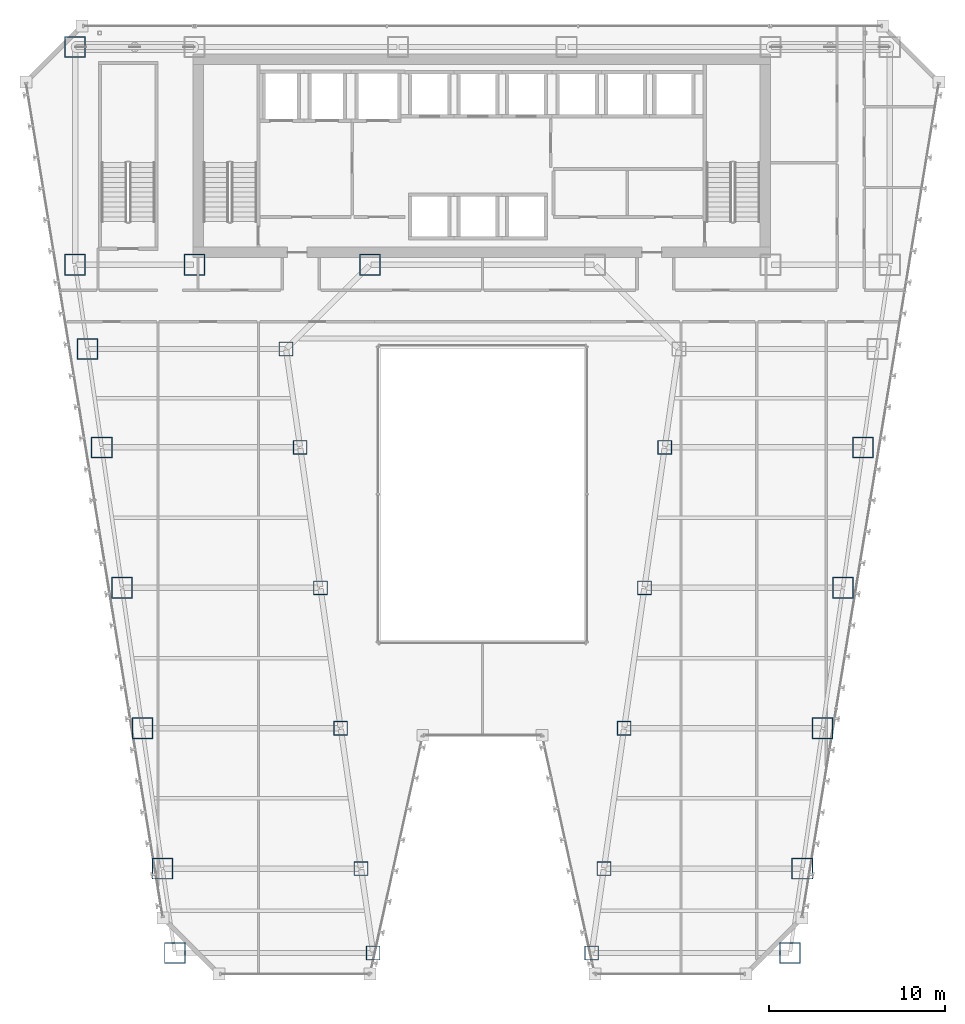
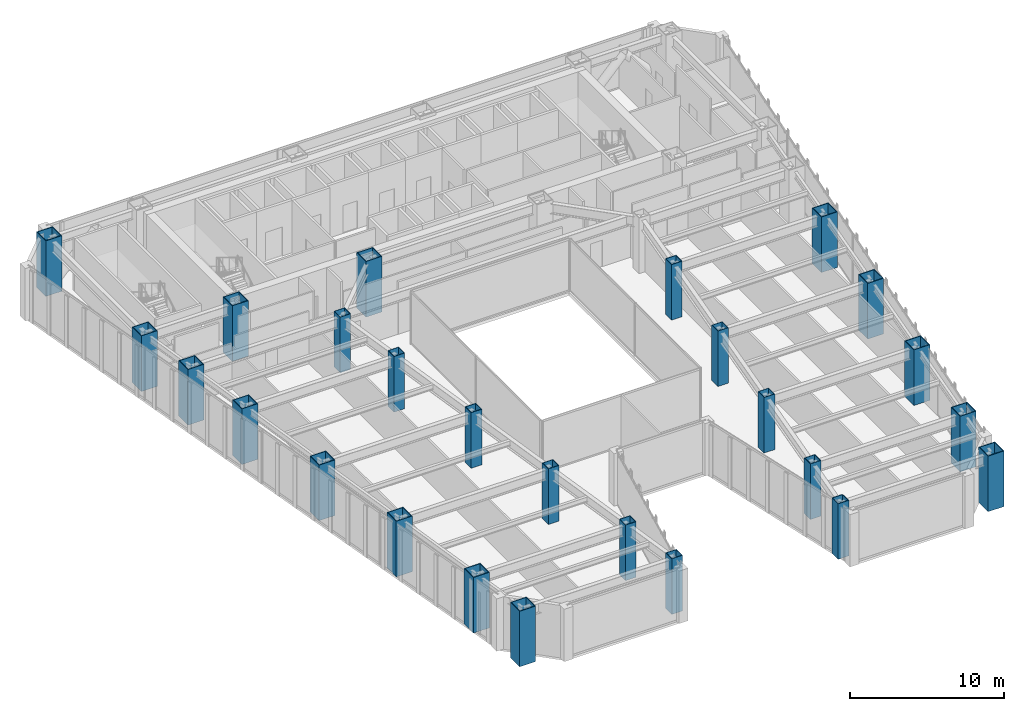
# One storey, part 1 of 47: 26 columns.
"""IFC4 building model written with IfcOpenShell, lengths in metres."""

import ifcopenshell
import ifcopenshell.guid

model = None  # the IFC model being written
_history = None  # IfcOwnerHistory: only IFC2X3 demands one
_inside = {}  # id of a spatial element -> (the spatial element, [elements in it])
_under = {}  # id of a project, library or spatial element -> (it, [spatial elements below it])
_declared = {}  # id of a project -> (the project, [libraries it declares])
_typed = {}  # id of a type object -> (the type object, [elements of that type])
_made_of = {}  # id of a material, layer set ... -> (it, [elements and type objects made of it])


def new_model(schema):
    """Start an empty IFC model of exactly this schema.

    Asked for "IFC4X3", IfcOpenShell would pick the latest addendum, in which some entities
    have other attributes; the version numbers below select the first issue.
    IFC2X3 requires an IfcOwnerHistory on every rooted entity: one is made here for all.
    """
    global model, _history
    if schema == "IFC4X3":
        model = ifcopenshell.file(schema_version=(4, 3, 0, 0))
    else:
        model = ifcopenshell.file(schema=schema)
    _inside.clear()
    _under.clear()
    _declared.clear()
    _typed.clear()
    _made_of.clear()
    _history = None
    if model.schema == "IFC2X3":
        org = make("IfcOrganization", Name="unknown")
        user = make(
            "IfcPersonAndOrganization",
            ThePerson=make("IfcPerson", FamilyName="unknown"),
            TheOrganization=org,
        )
        app = make(
            "IfcApplication",
            ApplicationDeveloper=org,
            Version="unknown",
            ApplicationFullName="unknown",
            ApplicationIdentifier="unknown",
        )
        _history = make(
            "IfcOwnerHistory",
            OwningUser=user,
            OwningApplication=app,
            ChangeAction="ADDED",
            CreationDate=0,
        )
    return model


def make(cls, **values):
    """One entity of the class cls with the attributes given. An attribute that is None is left unset."""
    return model.create_entity(
        cls, **{name: value for name, value in values.items() if value is not None}
    )


def rooted(cls, **values):
    """An entity with a GlobalId (a new one), such as an element, a storey or a relation."""
    return make(cls, GlobalId=ifcopenshell.guid.new(), OwnerHistory=_history, **values)


def si_unit(unit_type, name, prefix=None):
    """IfcSIUnit, for example si_unit("LENGTHUNIT", "METRE", prefix="MILLI")."""
    return make("IfcSIUnit", UnitType=unit_type, Prefix=prefix, Name=name)


def assignment(units):
    """IfcUnitAssignment: the units of a project."""
    return None if units is None else make("IfcUnitAssignment", Units=units)


def point(xyz):
    """IfcCartesianPoint."""
    return None if xyz is None else make("IfcCartesianPoint", Coordinates=xyz)


def direction(xyz):
    """IfcDirection."""
    return None if xyz is None else make("IfcDirection", DirectionRatios=xyz)


def frame(location, z_axis=None, x_axis=None):
    """IfcAxis2Placement3D, a coordinate frame: its origin and axes. An axis left out is left unset."""
    return make(
        "IfcAxis2Placement3D",
        Location=point(location),
        Axis=direction(z_axis),
        RefDirection=direction(x_axis),
    )


def frame_2d(location, x_axis=None):
    """IfcAxis2Placement2D, a coordinate frame in the plane: its origin and x axis."""
    return make(
        "IfcAxis2Placement2D", Location=point(location), RefDirection=direction(x_axis)
    )


def origin():
    """The frame at (0, 0, 0) with its axes left unset."""
    return frame((0.0, 0.0, 0.0))


def origin_2d():
    """The frame at (0, 0) in the plane with its x axis left unset."""
    return frame_2d((0.0, 0.0))


def place(relative_to, where):
    """IfcLocalPlacement: puts the frame where relative to a parent placement (None: the world)."""
    return make(
        "IfcLocalPlacement", PlacementRelTo=relative_to, RelativePlacement=where
    )


def context(
    kind, dimensions, precision=None, world=None, true_north=None, identifier=None
):
    """IfcGeometricRepresentationContext, for example the 3D "Model" context."""
    return make(
        "IfcGeometricRepresentationContext",
        ContextIdentifier=identifier,
        ContextType=kind,
        CoordinateSpaceDimension=dimensions,
        Precision=precision,
        WorldCoordinateSystem=world,
        TrueNorth=true_north,
    )


def subcontext(parent, identifier, kind, view, scale=None):
    """IfcGeometricRepresentationSubContext, for example "Body" below "Model"."""
    return make(
        "IfcGeometricRepresentationSubContext",
        ContextIdentifier=identifier,
        ContextType=kind,
        ParentContext=parent,
        TargetScale=scale,
        TargetView=view,
    )


def project(units=None, contexts=None):
    """IfcProject with its units and contexts."""
    return rooted(
        "IfcProject",
        Name="project",
        RepresentationContexts=contexts,
        UnitsInContext=assignment(units),
    )


def spatial(cls, under=None, at=None, **own):
    """A site, building, storey or space (cls), placed at a placement, below another one or the project."""
    s = rooted(cls, ObjectPlacement=at, **own)
    if under is not None:
        _under.setdefault(under.id(), (under, []))[1].append(s)
    return s


def profile(cls, at=None, kind="AREA", **sizes):
    """A parametric profile (cls). Its sizes go by their IFC names, for example OverallWidth=200.0."""
    return make(cls, ProfileType=kind, Position=at, **sizes)


def hollow_rectangle(**sizes):
    """IfcRectangleHollowProfileDef."""
    return profile("IfcRectangleHollowProfileDef", **sizes)


def extrude(swept, where, along, depth):
    """IfcExtrudedAreaSolid: the profile swept, set in the frame where, extruded along a direction by depth."""
    return make(
        "IfcExtrudedAreaSolid",
        SweptArea=swept,
        Position=where,
        ExtrudedDirection=direction(along),
        Depth=depth,
    )


def shape(context_of_items, identifier, shape_type, items):
    """IfcShapeRepresentation: the items that make up one representation, for example the "Body"."""
    return make(
        "IfcShapeRepresentation",
        ContextOfItems=context_of_items,
        RepresentationIdentifier=identifier,
        RepresentationType=shape_type,
        Items=items,
    )


def material(Name=None, Category=None):
    """IfcMaterial."""
    return make("IfcMaterial", Name=Name, Category=Category)


def material_profile(
    of_material, cross_section, Name=None, Category=None, Priority=None
):
    """IfcMaterialProfile: a cross section and its material."""
    return make(
        "IfcMaterialProfile",
        Name=Name,
        Material=of_material,
        Profile=cross_section,
        Priority=Priority,
        Category=Category,
    )


def profile_set(profiles, Name=None, composite=None):
    """IfcMaterialProfileSet."""
    return make(
        "IfcMaterialProfileSet",
        Name=Name,
        MaterialProfiles=profiles,
        CompositeProfile=composite,
    )


def made_of(thing, what):
    """Note that an element or type object is made of a material, layer set ...; save() writes the relation."""
    if what is not None:
        _made_of.setdefault(what.id(), (what, []))[1].append(thing)
    return thing


def type_object(cls, material=None, **own):
    """A type object (cls), such as IfcWallType, which elements share."""
    return made_of(rooted(cls, **own), material)


def element(
    cls,
    number,
    at=None,
    inside=None,
    cuts=None,
    type_object=None,
    material=None,
    context=None,
    identifier="Body",
    shape_type=None,
    held_by="IfcProductDefinitionShape",
    body=None,
    shapes=None,
    **own,
):
    """One element of the class cls, such as IfcWall. Its Tag is "e" and its number.

    at: its placement. inside: the storey or other place that contains it. cuts: it is an
    opening in that element (IfcRelVoidsElement). A single representation is given by context,
    identifier, shape_type and body (its items); several are given by shapes. held_by: the class
    of the entity that holds the representations. save() writes the other relations.
    """
    e = rooted(cls, Tag="e%d" % number, ObjectPlacement=at, **own)
    if body is not None:
        shapes = [shape(context, identifier, shape_type, body)]
    if shapes is not None:
        e.Representation = make(held_by, Representations=shapes)
    if inside is not None:
        _inside.setdefault(inside.id(), (inside, []))[1].append(e)
    if cuts is not None:
        rooted(
            "IfcRelVoidsElement", RelatingBuildingElement=cuts, RelatedOpeningElement=e
        )
    if type_object is not None:
        _typed.setdefault(type_object.id(), (type_object, []))[1].append(e)
    return made_of(e, material)


def aggregate(whole, parts):
    """IfcRelAggregates: a whole, such as a stair, and the parts it consists of."""
    return rooted("IfcRelAggregates", RelatingObject=whole, RelatedObjects=parts)


def save(model, path):
    """Write the relations noted so far, then the file.

    IfcRelAggregates (storeys below a building ...), IfcRelContainedInSpatialStructure (elements
    in a storey), IfcRelDefinesByType, IfcRelAssociatesMaterial and IfcRelDeclares: one each for
    every whole, place, type object, material and project.
    """
    for whole, parts in _under.values():
        aggregate(whole, parts)
    for where, things in _inside.values():
        rooted(
            "IfcRelContainedInSpatialStructure",
            RelatedElements=things,
            RelatingStructure=where,
        )
    for kind, things in _typed.values():
        rooted("IfcRelDefinesByType", RelatedObjects=things, RelatingType=kind)
    for what, things in _made_of.values():
        rooted("IfcRelAssociatesMaterial", RelatedObjects=things, RelatingMaterial=what)
    for by, libraries in _declared.values():
        rooted("IfcRelDeclares", RelatingContext=by, RelatedDefinitions=libraries)
    model.write(path)


model = new_model("IFC4")

# Units and contexts
model_context = context("Model", 3, precision=1e-05, world=origin(), true_north=direction((0.0, 1.0)))
body_context = subcontext(model_context, "Body", "Model", "MODEL_VIEW")
ifc_project = project(units=[si_unit("LENGTHUNIT", "METRE"), si_unit("AREAUNIT", "SQUARE_METRE"), si_unit("VOLUMEUNIT", "CUBIC_METRE"), si_unit("PLANEANGLEUNIT", "RADIAN"), si_unit("MASSUNIT", "GRAM", prefix="KILO")], contexts=[model_context])

# Site, building, storey
site_placement = place(None, origin())
site = spatial("IfcSite", under=ifc_project, at=site_placement, CompositionType="ELEMENT")
building_placement = place(site_placement, origin())
building = spatial("IfcBuilding", under=site, at=building_placement, Name="Saevonmaru Cultural Tower", CompositionType="ELEMENT")
storey_placement = place(building_placement, frame((0.0, 0.0, 92.800048828125)))
storey = spatial("IfcBuildingStorey", under=building, at=storey_placement, Name="L19", CompositionType="ELEMENT", Elevation=92.800048828125)

# Columns
ifc_material_1 = material(Name="Steel HSA600 (600 MPa)", Category="steel")
ifc_material_profile_1 = material_profile(ifc_material_1, hollow_rectangle(XDim=1.199951171875, YDim=1.199951171875, WallThickness=0.054931640625, at=origin_2d()), Name="BOX-1200x1200x55")
ifc_profile_set_1 = profile_set([ifc_material_profile_1], Name="Steel HSA600 (600 MPa)")
column_type_1 = type_object("IfcColumnType", Name="COL-BOX-1200", PredefinedType="COLUMN", material=ifc_profile_set_1)
for number, where, z_axis, x_axis, name in (
    (1, (6.800048828125, 54.800048828125, 0.0), (0.0, 0.0, 1.0), (1.0, 0.0, 0.0), "L19 Column TC-N1N"),
    (2, (6.800048828125, 42.39990234375, 0.0), (0.0, 0.0, 1.0), (1.0, 0.0, 0.0), "L19 Column TC-S1C"),
    (3, (13.60009765625, 42.39990234375, 0.0), (0.0, 0.0, 1.0), (1.0, 0.0, 0.0), "L19 Column TC-S2C"),
    (4, (23.60009765625, 42.39990234375, 0.0), (0.0, 0.0, 1.0), (1.0, 0.0, 0.0), "L19 Column TC-S3C"),
    (5, (12.47705078125, 3.199951171875, 0.0), (0.0, 0.0, 1.0), (1.0, 0.0, 0.0), "L19 Column TC-WO-Y032"),
    (6, (47.52294921875, 3.199951171875, 0.0), (0.0, 0.0, 1.0), (1.0, 0.0, 0.0), "L19 Column TC-EO-Y032"),
    (7, (11.782958984375, 8.0, 0.0), (0.0, 0.0, 1.0), (1.0, 0.0, 0.0), "L19 Column TC-WO-Y080"),
    (8, (48.217041015625, 8.0, 0.0), (0.0, 0.0, 1.0), (1.0, 0.0, 0.0), "L19 Column TC-EO-Y080"),
    (9, (10.6279296875, 16.0, 0.0), (0.0, 0.0, 1.0), (1.0, 0.0, 0.0), "L19 Column TC-WO-Y160"),
    (10, (49.3720703125, 16.0, 0.0), (0.0, 0.0, 1.0), (1.0, 0.0, 0.0), "L19 Column TC-EO-Y160"),
    (11, (9.471923828125, 24.0, 0.0), (0.0, 0.0, 1.0), (1.0, 0.0, 0.0), "L19 Column TC-WO-Y240"),
    (12, (50.528076171875, 24.0, 0.0), (0.0, 0.0, 1.0), (1.0, 0.0, 0.0), "L19 Column TC-EO-Y240"),
    (13, (8.31689453125, 32.0, 0.0), (0.0, 0.0, 1.0), (1.0, 0.0, 0.0), "L19 Column TC-WO-Y320"),
    (14, (51.68310546875, 32.0, 0.0), (0.0, 0.0, 1.0), (1.0, 0.0, 0.0), "L19 Column TC-EO-Y320"),
    (15, (7.508056640625, 37.60009765625, 0.0), (0.0, 0.0, 1.0), (1.0, 0.0, 0.0), "L19 Column TC-WO-Y376"),
):
    element("IfcColumn", number, at=place(storey_placement, frame(where, z_axis=z_axis, x_axis=x_axis)), inside=storey, type_object=column_type_1, Name=name, PredefinedType="COLUMN", context=body_context, shape_type="SweptSolid", body=[
        extrude(hollow_rectangle(XDim=1.199951171875, YDim=1.199951171875, WallThickness=0.054931640625, at=origin_2d()), origin(), (0.0, 0.0, 1.0), 4.39990234375),
    ])
ifc_material_2 = material(Name="Steel SM420", Category="steel")
ifc_material_profile_2 = material_profile(ifc_material_2, hollow_rectangle(XDim=0.800048828125, YDim=0.800048828125, WallThickness=0.035888671875, at=origin_2d()), Name="BOX-800x800x36")
ifc_profile_set_2 = profile_set([ifc_material_profile_2], Name="Steel SM420")
column_type_2 = type_object("IfcColumnType", Name="COL-BOX-800", PredefinedType="COLUMN", material=ifc_profile_set_2)
for number, where, z_axis, x_axis, name in (
    (16, (23.777099609375, 3.199951171875, 0.0), (0.0, 0.0, 1.0), (1.0, 0.0, 0.0), "L19 Column TC-WI-Y032"),
    (17, (36.222900390625, 3.199951171875, 0.0), (0.0, 0.0, 1.0), (1.0, 0.0, 0.0), "L19 Column TC-EI-Y032"),
    (18, (23.0830078125, 8.0, 0.0), (0.0, 0.0, 1.0), (1.0, 0.0, 0.0), "L19 Column TC-WI-Y080"),
    (19, (36.9169921875, 8.0, 0.0), (0.0, 0.0, 1.0), (1.0, 0.0, 0.0), "L19 Column TC-EI-Y080"),
    (20, (21.927978515625, 16.0, 0.0), (0.0, 0.0, 1.0), (1.0, 0.0, 0.0), "L19 Column TC-WI-Y160"),
    (21, (38.072021484375, 16.0, 0.0), (0.0, 0.0, 1.0), (1.0, 0.0, 0.0), "L19 Column TC-EI-Y160"),
    (22, (20.77197265625, 24.0, 0.0), (0.0, 0.0, 1.0), (1.0, 0.0, 0.0), "L19 Column TC-WI-Y240"),
    (23, (39.22802734375, 24.0, 0.0), (0.0, 0.0, 1.0), (1.0, 0.0, 0.0), "L19 Column TC-EI-Y240"),
    (24, (19.616943359375, 32.0, 0.0), (0.0, 0.0, 1.0), (1.0, 0.0, 0.0), "L19 Column TC-WI-Y320"),
    (25, (40.383056640625, 32.0, 0.0), (0.0, 0.0, 1.0), (1.0, 0.0, 0.0), "L19 Column TC-EI-Y320"),
    (26, (18.80810546875, 37.60009765625, 0.0), (0.0, 0.0, 1.0), (1.0, 0.0, 0.0), "L19 Column TC-WI-Y376"),
):
    element("IfcColumn", number, at=place(storey_placement, frame(where, z_axis=z_axis, x_axis=x_axis)), inside=storey, type_object=column_type_2, Name=name, PredefinedType="COLUMN", context=body_context, shape_type="SweptSolid", body=[
        extrude(hollow_rectangle(XDim=0.800048828125, YDim=0.800048828125, WallThickness=0.035888671875, at=origin_2d()), origin(), (0.0, 0.0, 1.0), 4.39990234375),
    ])

save(model, "model.ifc")
